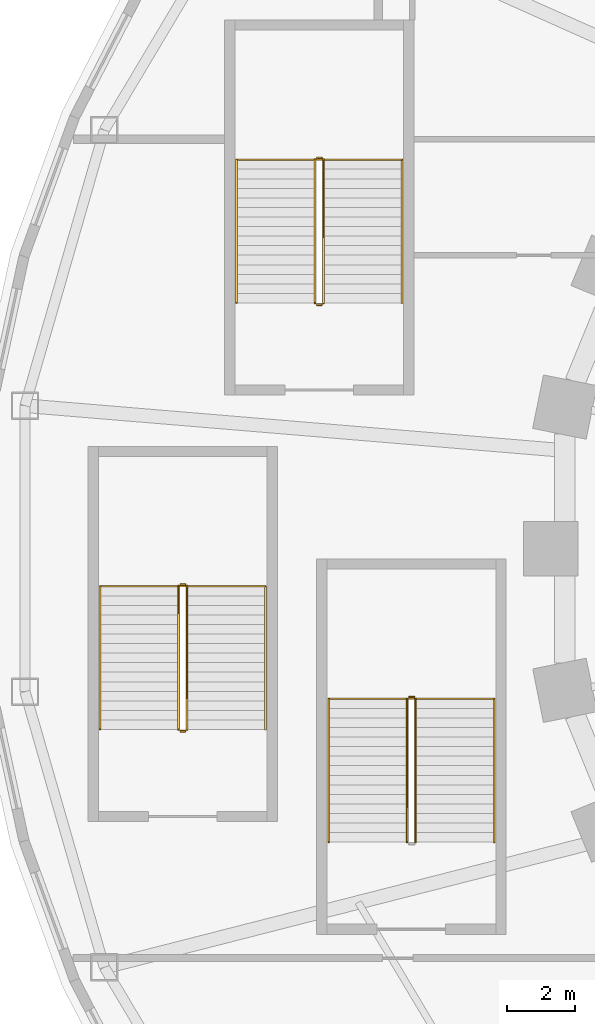
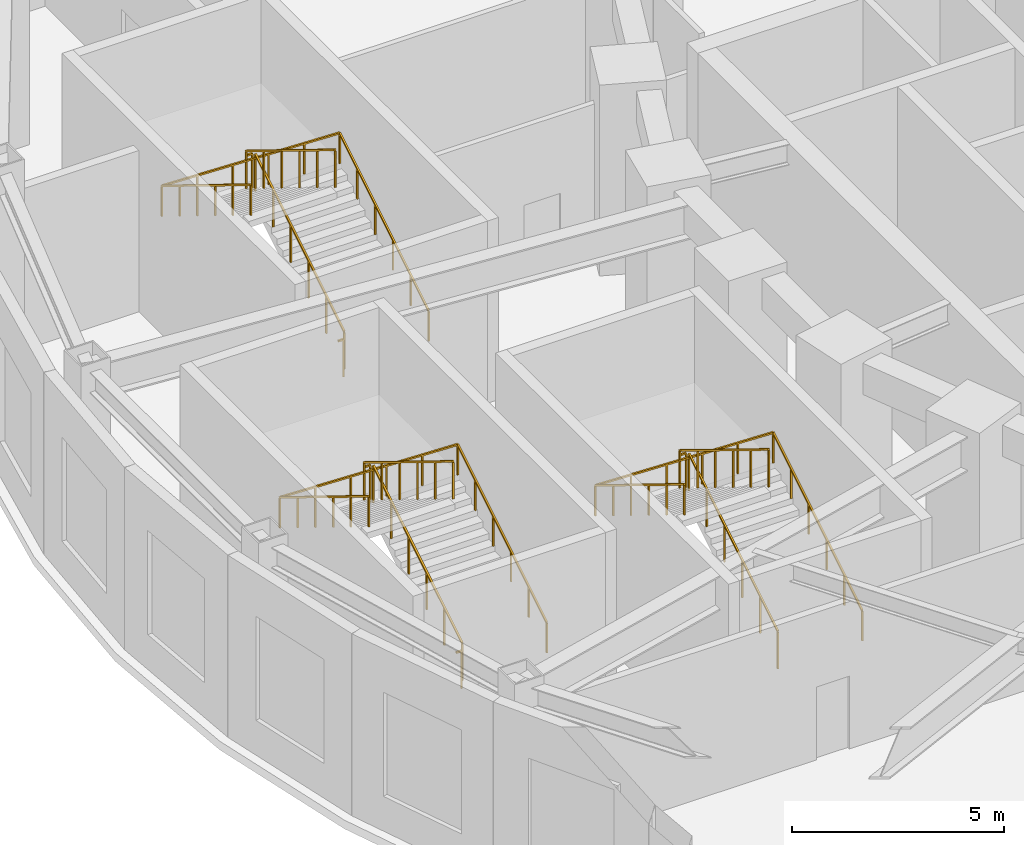
# One storey, part 39 of 69: 14 railings.
"""IFC4 building model written with IfcOpenShell, lengths in metres."""

from ifc_helpers import new_model, si_unit, direction, frame, origin, origin_2d, place, context, subcontext, project, spatial, rectangle, extrude, material, type_object, element, save


model = new_model("IFC4")

# Units and contexts
model_context = context("Model", 3, precision=1e-05, world=origin(), true_north=direction((0.0, 1.0)))
body_context = subcontext(model_context, "Body", "Model", "MODEL_VIEW")
ifc_project = project(units=[si_unit("LENGTHUNIT", "METRE"), si_unit("AREAUNIT", "SQUARE_METRE"), si_unit("VOLUMEUNIT", "CUBIC_METRE"), si_unit("PLANEANGLEUNIT", "RADIAN"), si_unit("MASSUNIT", "GRAM", prefix="KILO")], contexts=[model_context])

# Site, building, storey
site_placement = place(None, origin())
site = spatial("IfcSite", under=ifc_project, at=site_placement, CompositionType="ELEMENT")
building_placement = place(site_placement, origin())
building = spatial("IfcBuilding", under=site, at=building_placement, Name="Noorbagh Ring Tower", CompositionType="ELEMENT")
storey_placement = place(building_placement, frame((0.0, 0.0, 19.5)))
storey = spatial("IfcBuildingStorey", under=building, at=storey_placement, Name="L03", CompositionType="ELEMENT", Elevation=19.5)

# Railings
ifc_material_1 = material(Name="Stainless steel", Category="steel")
railing_type_1 = type_object("IfcRailingType", Name="GND-STAIR-GUARD", PredefinedType="GUARDRAIL", material=ifc_material_1)
railing_1_placement = place(storey_placement, frame((-38.89990234375, -8.60009765625, 0.171875)))
element("IfcRailing", 1, at=railing_1_placement, inside=storey, type_object=railing_type_1, Name="L03 ST-P1 stair guard", PredefinedType="GUARDRAIL", context=body_context, shape_type="SweptSolid", body=[
    extrude(rectangle(XDim=0.048095703125, YDim=0.048095703125, at=origin_2d()), frame((0.0, 0.0, 1.076171875), z_axis=(0.0, 0.852256472501, 0.523124177495), x_axis=(-1.0, 0.0, 0.0)), (0.0, 0.0, 1.0), 4.92822265625),
    extrude(rectangle(XDim=0.0419921875, YDim=0.0419921875, at=origin_2d()), origin(), (0.0, 0.0, 1.0), 1.052001953125),
    extrude(rectangle(XDim=0.0419921875, YDim=0.0419921875, at=origin_2d()), frame((0.0, 0.840087890625, 0.515625)), (0.0, 0.0, 1.0), 1.052001953125),
    extrude(rectangle(XDim=0.0419921875, YDim=0.0419921875, at=origin_2d()), frame((0.0, 1.68017578125, 1.03125)), (0.0, 0.0, 1.0), 1.052001953125),
    extrude(rectangle(XDim=0.0419921875, YDim=0.0419921875, at=origin_2d()), frame((0.0, 2.52001953125, 1.546875)), (0.0, 0.0, 1.0), 1.052001953125),
    extrude(rectangle(XDim=0.0419921875, YDim=0.0419921875, at=origin_2d()), frame((0.0, 3.360107421875, 2.0625)), (0.0, 0.0, 1.0), 1.052001953125),
    extrude(rectangle(XDim=0.0419921875, YDim=0.0419921875, at=origin_2d()), frame((0.0, 4.2001953125, 2.578125)), (0.0, 0.0, 1.0), 1.052001953125),
])
railing_2_placement = place(storey_placement, frame((-38.949951171875, -4.35009765625, 2.75)))
element("IfcRailing", 2, at=railing_2_placement, inside=storey, type_object=railing_type_1, Name="L03 ST-P1 stair guard", PredefinedType="GUARDRAIL", context=body_context, shape_type="SweptSolid", body=[
    extrude(rectangle(XDim=0.048095703125, YDim=0.048095703125, at=origin_2d()), frame((0.0, 0.0, 1.076171875), z_axis=(-1.0, 0.0, 0.0), x_axis=(0.0, -1.0, 0.0)), (0.0, 0.0, 1.0), 0.150146484375),
    extrude(rectangle(XDim=0.0419921875, YDim=0.0419921875, at=origin_2d()), origin(), (0.0, 0.0, 1.0), 1.052001953125),
])
railing_3_placement = place(storey_placement, frame((-39.14990234375, -4.39990234375, 2.921875)))
element("IfcRailing", 3, at=railing_3_placement, inside=storey, type_object=railing_type_1, Name="L03 ST-P1 stair guard", PredefinedType="GUARDRAIL", context=body_context, shape_type="SweptSolid", body=[
    extrude(rectangle(XDim=0.048095703125, YDim=0.048095703125, at=origin_2d()), frame((0.0, 0.0, 1.076171875), z_axis=(0.0, -0.852256472501, 0.523124177495), x_axis=(1.0, 0.0, 0.0)), (0.0, 0.0, 1.0), 4.92822265625),
    extrude(rectangle(XDim=0.0419921875, YDim=0.0419921875, at=origin_2d()), origin(), (0.0, 0.0, 1.0), 1.052001953125),
    extrude(rectangle(XDim=0.0419921875, YDim=0.0419921875, at=origin_2d()), frame((0.0, -0.840087890625, 0.515625)), (0.0, 0.0, 1.0), 1.052001953125),
    extrude(rectangle(XDim=0.0419921875, YDim=0.0419921875, at=origin_2d()), frame((0.0, -1.68017578125, 1.03125)), (0.0, 0.0, 1.0), 1.052001953125),
    extrude(rectangle(XDim=0.0419921875, YDim=0.0419921875, at=origin_2d()), frame((0.0, -2.52001953125, 1.546875)), (0.0, 0.0, 1.0), 1.052001953125),
    extrude(rectangle(XDim=0.0419921875, YDim=0.0419921875, at=origin_2d()), frame((0.0, -3.360107421875, 2.0625)), (0.0, 0.0, 1.0), 1.052001953125),
    extrude(rectangle(XDim=0.0419921875, YDim=0.0419921875, at=origin_2d()), frame((0.0, -4.2001953125, 2.578125)), (0.0, 0.0, 1.0), 1.052001953125),
])
railing_4_placement = place(storey_placement, frame((-45.60009765625, -5.300048828125, 0.171875)))
element("IfcRailing", 4, at=railing_4_placement, inside=storey, type_object=railing_type_1, Name="L03 ST-P3 stair guard", PredefinedType="GUARDRAIL", context=body_context, shape_type="SweptSolid", body=[
    extrude(rectangle(XDim=0.048095703125, YDim=0.048095703125, at=origin_2d()), frame((0.0, 0.0, 1.076171875), z_axis=(0.0, 0.852242915053, 0.523146264196), x_axis=(-1.0, 0.0, 0.0)), (0.0, 0.0, 1.0), 4.92822265625),
    extrude(rectangle(XDim=0.0419921875, YDim=0.0419921875, at=origin_2d()), origin(), (0.0, 0.0, 1.0), 1.052001953125),
    extrude(rectangle(XDim=0.0419921875, YDim=0.0419921875, at=origin_2d()), frame((0.0, 0.840087890625, 0.515625)), (0.0, 0.0, 1.0), 1.052001953125),
    extrude(rectangle(XDim=0.0419921875, YDim=0.0419921875, at=origin_2d()), frame((0.0, 1.679931640625, 1.03125)), (0.0, 0.0, 1.0), 1.052001953125),
    extrude(rectangle(XDim=0.0419921875, YDim=0.0419921875, at=origin_2d()), frame((0.0, 2.52001953125, 1.546875)), (0.0, 0.0, 1.0), 1.052001953125),
    extrude(rectangle(XDim=0.0419921875, YDim=0.0419921875, at=origin_2d()), frame((0.0, 3.35986328125, 2.0625)), (0.0, 0.0, 1.0), 1.052001953125),
    extrude(rectangle(XDim=0.0419921875, YDim=0.0419921875, at=origin_2d()), frame((0.0, 4.199951171875, 2.578125)), (0.0, 0.0, 1.0), 1.052001953125),
])
railing_5_placement = place(storey_placement, frame((-45.64990234375, -1.050048828125, 2.75)))
element("IfcRailing", 5, at=railing_5_placement, inside=storey, type_object=railing_type_1, Name="L03 ST-P3 stair guard", PredefinedType="GUARDRAIL", context=body_context, shape_type="SweptSolid", body=[
    extrude(rectangle(XDim=0.048095703125, YDim=0.048095703125, at=origin_2d()), frame((0.0, 0.0, 1.076171875), z_axis=(-1.0, 0.0, 0.0), x_axis=(0.0, -1.0, 0.0)), (0.0, 0.0, 1.0), 0.150146484375),
    extrude(rectangle(XDim=0.0419921875, YDim=0.0419921875, at=origin_2d()), origin(), (0.0, 0.0, 1.0), 1.052001953125),
])
railing_6_placement = place(storey_placement, frame((-45.85009765625, -1.10009765625, 2.921875)))
element("IfcRailing", 6, at=railing_6_placement, inside=storey, type_object=railing_type_1, Name="L03 ST-P3 stair guard", PredefinedType="GUARDRAIL", context=body_context, shape_type="SweptSolid", body=[
    extrude(rectangle(XDim=0.048095703125, YDim=0.048095703125, at=origin_2d()), frame((0.0, 0.0, 1.076171875), z_axis=(0.0, -0.852242915053, 0.523146264196), x_axis=(1.0, 0.0, 0.0)), (0.0, 0.0, 1.0), 4.92822265625),
    extrude(rectangle(XDim=0.0419921875, YDim=0.0419921875, at=origin_2d()), origin(), (0.0, 0.0, 1.0), 1.052001953125),
    extrude(rectangle(XDim=0.0419921875, YDim=0.0419921875, at=origin_2d()), frame((0.0, -0.840087890625, 0.515625)), (0.0, 0.0, 1.0), 1.052001953125),
    extrude(rectangle(XDim=0.0419921875, YDim=0.0419921875, at=origin_2d()), frame((0.0, -1.679931640625, 1.03125)), (0.0, 0.0, 1.0), 1.052001953125),
    extrude(rectangle(XDim=0.0419921875, YDim=0.0419921875, at=origin_2d()), frame((0.0, -2.52001953125, 1.546875)), (0.0, 0.0, 1.0), 1.052001953125),
    extrude(rectangle(XDim=0.0419921875, YDim=0.0419921875, at=origin_2d()), frame((0.0, -3.35986328125, 2.0625)), (0.0, 0.0, 1.0), 1.052001953125),
    extrude(rectangle(XDim=0.0419921875, YDim=0.0419921875, at=origin_2d()), frame((0.0, -4.199951171875, 2.578125)), (0.0, 0.0, 1.0), 1.052001953125),
])
railing_7_placement = place(storey_placement, frame((-45.64990234375, -5.35009765625, 0.0)))
element("IfcRailing", 7, at=railing_7_placement, inside=storey, type_object=railing_type_1, Name="L03 ST-P3 stair guard", PredefinedType="GUARDRAIL", context=body_context, shape_type="SweptSolid", body=[
    extrude(rectangle(XDim=0.048095703125, YDim=0.048095703125, at=origin_2d()), frame((0.0, 0.0, 1.076171875), z_axis=(-1.0, 0.0, 0.0), x_axis=(0.0, -1.0, 0.0)), (0.0, 0.0, 1.0), 0.150146484375),
    extrude(rectangle(XDim=0.0419921875, YDim=0.0419921875, at=origin_2d()), origin(), (0.0, 0.0, 1.0), 1.052001953125),
])
railing_8_placement = place(storey_placement, frame((-41.60009765625, 7.199951171875, 0.171875)))
element("IfcRailing", 8, at=railing_8_placement, inside=storey, type_object=railing_type_1, Name="L03 ST-P7 stair guard", PredefinedType="GUARDRAIL", context=body_context, shape_type="SweptSolid", body=[
    extrude(rectangle(XDim=0.048095703125, YDim=0.048095703125, at=origin_2d()), frame((0.0, 0.0, 1.076171875), z_axis=(0.0, 0.852242915053, 0.523146264196), x_axis=(-1.0, 0.0, 0.0)), (0.0, 0.0, 1.0), 4.92822265625),
    extrude(rectangle(XDim=0.0419921875, YDim=0.0419921875, at=origin_2d()), origin(), (0.0, 0.0, 1.0), 1.052001953125),
    extrude(rectangle(XDim=0.0419921875, YDim=0.0419921875, at=origin_2d()), frame((0.0, 0.840087890625, 0.515625)), (0.0, 0.0, 1.0), 1.052001953125),
    extrude(rectangle(XDim=0.0419921875, YDim=0.0419921875, at=origin_2d()), frame((0.0, 1.679931640625, 1.03125)), (0.0, 0.0, 1.0), 1.052001953125),
    extrude(rectangle(XDim=0.0419921875, YDim=0.0419921875, at=origin_2d()), frame((0.0, 2.52001953125, 1.546875)), (0.0, 0.0, 1.0), 1.052001953125),
    extrude(rectangle(XDim=0.0419921875, YDim=0.0419921875, at=origin_2d()), frame((0.0, 3.35986328125, 2.0625)), (0.0, 0.0, 1.0), 1.052001953125),
    extrude(rectangle(XDim=0.0419921875, YDim=0.0419921875, at=origin_2d()), frame((0.0, 4.199951171875, 2.578125)), (0.0, 0.0, 1.0), 1.052001953125),
])
railing_9_placement = place(storey_placement, frame((-41.64990234375, 11.449951171875, 2.75)))
element("IfcRailing", 9, at=railing_9_placement, inside=storey, type_object=railing_type_1, Name="L03 ST-P7 stair guard", PredefinedType="GUARDRAIL", context=body_context, shape_type="SweptSolid", body=[
    extrude(rectangle(XDim=0.048095703125, YDim=0.048095703125, at=origin_2d()), frame((0.0, 0.0, 1.076171875), z_axis=(-1.0, 0.0, 0.0), x_axis=(0.0, -1.0, 0.0)), (0.0, 0.0, 1.0), 0.150146484375),
    extrude(rectangle(XDim=0.0419921875, YDim=0.0419921875, at=origin_2d()), origin(), (0.0, 0.0, 1.0), 1.052001953125),
])
railing_10_placement = place(storey_placement, frame((-41.85009765625, 11.39990234375, 2.921875)))
element("IfcRailing", 10, at=railing_10_placement, inside=storey, type_object=railing_type_1, Name="L03 ST-P7 stair guard", PredefinedType="GUARDRAIL", context=body_context, shape_type="SweptSolid", body=[
    extrude(rectangle(XDim=0.048095703125, YDim=0.048095703125, at=origin_2d()), frame((0.0, 0.0, 1.076171875), z_axis=(0.0, -0.852242915053, 0.523146264196), x_axis=(1.0, 0.0, 0.0)), (0.0, 0.0, 1.0), 4.92822265625),
    extrude(rectangle(XDim=0.0419921875, YDim=0.0419921875, at=origin_2d()), origin(), (0.0, 0.0, 1.0), 1.052001953125),
    extrude(rectangle(XDim=0.0419921875, YDim=0.0419921875, at=origin_2d()), frame((0.0, -0.840087890625, 0.515625)), (0.0, 0.0, 1.0), 1.052001953125),
    extrude(rectangle(XDim=0.0419921875, YDim=0.0419921875, at=origin_2d()), frame((0.0, -1.679931640625, 1.03125)), (0.0, 0.0, 1.0), 1.052001953125),
    extrude(rectangle(XDim=0.0419921875, YDim=0.0419921875, at=origin_2d()), frame((0.0, -2.52001953125, 1.546875)), (0.0, 0.0, 1.0), 1.052001953125),
    extrude(rectangle(XDim=0.0419921875, YDim=0.0419921875, at=origin_2d()), frame((0.0, -3.35986328125, 2.0625)), (0.0, 0.0, 1.0), 1.052001953125),
    extrude(rectangle(XDim=0.0419921875, YDim=0.0419921875, at=origin_2d()), frame((0.0, -4.199951171875, 2.578125)), (0.0, 0.0, 1.0), 1.052001953125),
])
railing_11_placement = place(storey_placement, frame((-41.64990234375, 7.14990234375, 0.0)))
element("IfcRailing", 11, at=railing_11_placement, inside=storey, type_object=railing_type_1, Name="L03 ST-P7 stair guard", PredefinedType="GUARDRAIL", context=body_context, shape_type="SweptSolid", body=[
    extrude(rectangle(XDim=0.048095703125, YDim=0.048095703125, at=origin_2d()), frame((0.0, 0.0, 1.076171875), z_axis=(-1.0, 0.0, 0.0), x_axis=(0.0, -1.0, 0.0)), (0.0, 0.0, 1.0), 0.150146484375),
    extrude(rectangle(XDim=0.0419921875, YDim=0.0419921875, at=origin_2d()), origin(), (0.0, 0.0, 1.0), 1.052001953125),
])
ifc_material_2 = material(Name="Stainless steel", Category="steel")
railing_type_2 = type_object("IfcRailingType", Name="GND-STAIR-HANDRAIL", PredefinedType="HANDRAIL", material=ifc_material_2)
railing_12_placement = place(storey_placement, frame((-36.60009765625, -8.60009765625, 0.171875)))
element("IfcRailing", 12, at=railing_12_placement, inside=storey, type_object=railing_type_2, Name="L03 ST-P1 stair handrail", PredefinedType="HANDRAIL", context=body_context, shape_type="SweptSolid", body=[
    extrude(rectangle(XDim=0.048095703125, YDim=0.048095703125, at=origin_2d()), frame((0.0, 0.0, 0.8759765625), z_axis=(0.0, 0.852256472501, 0.523124177495), x_axis=(-1.0, 0.0, 0.0)), (0.0, 0.0, 1.0), 4.92822265625),
    extrude(rectangle(XDim=0.048095703125, YDim=0.048095703125, at=origin_2d()), frame((0.0, 4.2001953125, 3.4541015625), z_axis=(-0.99937262193, 0.0, 0.035416980913), x_axis=(0.0, -1.0, 0.0)), (0.0, 0.0, 1.0), 4.852783203125),
    extrude(rectangle(XDim=0.048095703125, YDim=0.048095703125, at=origin_2d()), frame((-4.849853515625, 4.2001953125, 3.6259765625), z_axis=(0.0, -0.852256472501, 0.523124177495), x_axis=(1.0, 0.0, 0.0)), (0.0, 0.0, 1.0), 4.92822265625),
    extrude(rectangle(XDim=0.0419921875, YDim=0.0419921875, at=origin_2d()), origin(), (0.0, 0.0, 1.0), 0.851806640625),
    extrude(rectangle(XDim=0.0419921875, YDim=0.0419921875, at=origin_2d()), frame((0.0, 0.840087890625, 0.515625)), (0.0, 0.0, 1.0), 0.851806640625),
    extrude(rectangle(XDim=0.0419921875, YDim=0.0419921875, at=origin_2d()), frame((0.0, 1.68017578125, 1.03125)), (0.0, 0.0, 1.0), 0.851806640625),
    extrude(rectangle(XDim=0.0419921875, YDim=0.0419921875, at=origin_2d()), frame((0.0, 2.52001953125, 1.546875)), (0.0, 0.0, 1.0), 0.851806640625),
    extrude(rectangle(XDim=0.0419921875, YDim=0.0419921875, at=origin_2d()), frame((0.0, 3.360107421875, 2.0625)), (0.0, 0.0, 1.0), 0.851806640625),
    extrude(rectangle(XDim=0.0419921875, YDim=0.0419921875, at=origin_2d()), frame((0.0, 4.2001953125, 2.578125)), (0.0, 0.0, 1.0), 0.851806640625),
    extrude(rectangle(XDim=0.0419921875, YDim=0.0419921875, at=origin_2d()), frame((-0.969970703125, 4.2001953125, 2.612548828125)), (0.0, 0.0, 1.0), 0.851806640625),
    extrude(rectangle(XDim=0.0419921875, YDim=0.0419921875, at=origin_2d()), frame((-1.93994140625, 4.2001953125, 2.64697265625)), (0.0, 0.0, 1.0), 0.851806640625),
    extrude(rectangle(XDim=0.0419921875, YDim=0.0419921875, at=origin_2d()), frame((-2.909912109375, 4.2001953125, 2.68115234375)), (0.0, 0.0, 1.0), 0.851806640625),
    extrude(rectangle(XDim=0.0419921875, YDim=0.0419921875, at=origin_2d()), frame((-3.8798828125, 4.2001953125, 2.715576171875)), (0.0, 0.0, 1.0), 0.851806640625),
    extrude(rectangle(XDim=0.0419921875, YDim=0.0419921875, at=origin_2d()), frame((-4.849853515625, 4.2001953125, 2.75)), (0.0, 0.0, 1.0), 0.851806640625),
    extrude(rectangle(XDim=0.0419921875, YDim=0.0419921875, at=origin_2d()), frame((-4.849853515625, 3.360107421875, 3.265625)), (0.0, 0.0, 1.0), 0.851806640625),
    extrude(rectangle(XDim=0.0419921875, YDim=0.0419921875, at=origin_2d()), frame((-4.849853515625, 2.52001953125, 3.78125)), (0.0, 0.0, 1.0), 0.851806640625),
    extrude(rectangle(XDim=0.0419921875, YDim=0.0419921875, at=origin_2d()), frame((-4.849853515625, 1.68017578125, 4.296875)), (0.0, 0.0, 1.0), 0.851806640625),
    extrude(rectangle(XDim=0.0419921875, YDim=0.0419921875, at=origin_2d()), frame((-4.849853515625, 0.840087890625, 4.8125)), (0.0, 0.0, 1.0), 0.851806640625),
    extrude(rectangle(XDim=0.0419921875, YDim=0.0419921875, at=origin_2d()), frame((-4.849853515625, 0.0, 5.328125)), (0.0, 0.0, 1.0), 0.851806640625),
])
railing_13_placement = place(storey_placement, frame((-43.300048828125, -5.300048828125, 0.171875)))
element("IfcRailing", 13, at=railing_13_placement, inside=storey, type_object=railing_type_2, Name="L03 ST-P3 stair handrail", PredefinedType="HANDRAIL", context=body_context, shape_type="SweptSolid", body=[
    extrude(rectangle(XDim=0.048095703125, YDim=0.048095703125, at=origin_2d()), frame((0.0, 0.0, 0.8759765625), z_axis=(0.0, 0.852242915053, 0.523146264196), x_axis=(-1.0, 0.0, 0.0)), (0.0, 0.0, 1.0), 4.92822265625),
    extrude(rectangle(XDim=0.048095703125, YDim=0.048095703125, at=origin_2d()), frame((0.0, 4.199951171875, 3.4541015625), z_axis=(-0.99937262193, 0.0, 0.035416980913), x_axis=(0.0, -1.0, 0.0)), (0.0, 0.0, 1.0), 4.852783203125),
    extrude(rectangle(XDim=0.048095703125, YDim=0.048095703125, at=origin_2d()), frame((-4.849853515625, 4.199951171875, 3.6259765625), z_axis=(0.0, -0.852242915053, 0.523146264196), x_axis=(1.0, 0.0, 0.0)), (0.0, 0.0, 1.0), 4.92822265625),
    extrude(rectangle(XDim=0.0419921875, YDim=0.0419921875, at=origin_2d()), origin(), (0.0, 0.0, 1.0), 0.851806640625),
    extrude(rectangle(XDim=0.0419921875, YDim=0.0419921875, at=origin_2d()), frame((0.0, 0.840087890625, 0.515625)), (0.0, 0.0, 1.0), 0.851806640625),
    extrude(rectangle(XDim=0.0419921875, YDim=0.0419921875, at=origin_2d()), frame((0.0, 1.679931640625, 1.03125)), (0.0, 0.0, 1.0), 0.851806640625),
    extrude(rectangle(XDim=0.0419921875, YDim=0.0419921875, at=origin_2d()), frame((0.0, 2.52001953125, 1.546875)), (0.0, 0.0, 1.0), 0.851806640625),
    extrude(rectangle(XDim=0.0419921875, YDim=0.0419921875, at=origin_2d()), frame((0.0, 3.35986328125, 2.0625)), (0.0, 0.0, 1.0), 0.851806640625),
    extrude(rectangle(XDim=0.0419921875, YDim=0.0419921875, at=origin_2d()), frame((0.0, 4.199951171875, 2.578125)), (0.0, 0.0, 1.0), 0.851806640625),
    extrude(rectangle(XDim=0.0419921875, YDim=0.0419921875, at=origin_2d()), frame((-0.969970703125, 4.199951171875, 2.612548828125)), (0.0, 0.0, 1.0), 0.851806640625),
    extrude(rectangle(XDim=0.0419921875, YDim=0.0419921875, at=origin_2d()), frame((-1.93994140625, 4.199951171875, 2.64697265625)), (0.0, 0.0, 1.0), 0.851806640625),
    extrude(rectangle(XDim=0.0419921875, YDim=0.0419921875, at=origin_2d()), frame((-2.909912109375, 4.199951171875, 2.68115234375)), (0.0, 0.0, 1.0), 0.851806640625),
    extrude(rectangle(XDim=0.0419921875, YDim=0.0419921875, at=origin_2d()), frame((-3.8798828125, 4.199951171875, 2.715576171875)), (0.0, 0.0, 1.0), 0.851806640625),
    extrude(rectangle(XDim=0.0419921875, YDim=0.0419921875, at=origin_2d()), frame((-4.849853515625, 4.199951171875, 2.75)), (0.0, 0.0, 1.0), 0.851806640625),
    extrude(rectangle(XDim=0.0419921875, YDim=0.0419921875, at=origin_2d()), frame((-4.849853515625, 3.35986328125, 3.265625)), (0.0, 0.0, 1.0), 0.851806640625),
    extrude(rectangle(XDim=0.0419921875, YDim=0.0419921875, at=origin_2d()), frame((-4.849853515625, 2.52001953125, 3.78125)), (0.0, 0.0, 1.0), 0.851806640625),
    extrude(rectangle(XDim=0.0419921875, YDim=0.0419921875, at=origin_2d()), frame((-4.849853515625, 1.679931640625, 4.296875)), (0.0, 0.0, 1.0), 0.851806640625),
    extrude(rectangle(XDim=0.0419921875, YDim=0.0419921875, at=origin_2d()), frame((-4.849853515625, 0.840087890625, 4.8125)), (0.0, 0.0, 1.0), 0.851806640625),
    extrude(rectangle(XDim=0.0419921875, YDim=0.0419921875, at=origin_2d()), frame((-4.849853515625, 0.0, 5.328125)), (0.0, 0.0, 1.0), 0.851806640625),
])
railing_14_placement = place(storey_placement, frame((-39.300048828125, 7.199951171875, 0.171875)))
element("IfcRailing", 14, at=railing_14_placement, inside=storey, type_object=railing_type_2, Name="L03 ST-P7 stair handrail", PredefinedType="HANDRAIL", context=body_context, shape_type="SweptSolid", body=[
    extrude(rectangle(XDim=0.048095703125, YDim=0.048095703125, at=origin_2d()), frame((0.0, 0.0, 0.8759765625), z_axis=(0.0, 0.852242915053, 0.523146264196), x_axis=(-1.0, 0.0, 0.0)), (0.0, 0.0, 1.0), 4.92822265625),
    extrude(rectangle(XDim=0.048095703125, YDim=0.048095703125, at=origin_2d()), frame((0.0, 4.199951171875, 3.4541015625), z_axis=(-0.99937262193, 0.0, 0.035416980913), x_axis=(0.0, -1.0, 0.0)), (0.0, 0.0, 1.0), 4.852783203125),
    extrude(rectangle(XDim=0.048095703125, YDim=0.048095703125, at=origin_2d()), frame((-4.849853515625, 4.199951171875, 3.6259765625), z_axis=(0.0, -0.852242915053, 0.523146264196), x_axis=(1.0, 0.0, 0.0)), (0.0, 0.0, 1.0), 4.92822265625),
    extrude(rectangle(XDim=0.0419921875, YDim=0.0419921875, at=origin_2d()), origin(), (0.0, 0.0, 1.0), 0.851806640625),
    extrude(rectangle(XDim=0.0419921875, YDim=0.0419921875, at=origin_2d()), frame((0.0, 0.840087890625, 0.515625)), (0.0, 0.0, 1.0), 0.851806640625),
    extrude(rectangle(XDim=0.0419921875, YDim=0.0419921875, at=origin_2d()), frame((0.0, 1.679931640625, 1.03125)), (0.0, 0.0, 1.0), 0.851806640625),
    extrude(rectangle(XDim=0.0419921875, YDim=0.0419921875, at=origin_2d()), frame((0.0, 2.52001953125, 1.546875)), (0.0, 0.0, 1.0), 0.851806640625),
    extrude(rectangle(XDim=0.0419921875, YDim=0.0419921875, at=origin_2d()), frame((0.0, 3.35986328125, 2.0625)), (0.0, 0.0, 1.0), 0.851806640625),
    extrude(rectangle(XDim=0.0419921875, YDim=0.0419921875, at=origin_2d()), frame((0.0, 4.199951171875, 2.578125)), (0.0, 0.0, 1.0), 0.851806640625),
    extrude(rectangle(XDim=0.0419921875, YDim=0.0419921875, at=origin_2d()), frame((-0.969970703125, 4.199951171875, 2.612548828125)), (0.0, 0.0, 1.0), 0.851806640625),
    extrude(rectangle(XDim=0.0419921875, YDim=0.0419921875, at=origin_2d()), frame((-1.93994140625, 4.199951171875, 2.64697265625)), (0.0, 0.0, 1.0), 0.851806640625),
    extrude(rectangle(XDim=0.0419921875, YDim=0.0419921875, at=origin_2d()), frame((-2.909912109375, 4.199951171875, 2.68115234375)), (0.0, 0.0, 1.0), 0.851806640625),
    extrude(rectangle(XDim=0.0419921875, YDim=0.0419921875, at=origin_2d()), frame((-3.8798828125, 4.199951171875, 2.715576171875)), (0.0, 0.0, 1.0), 0.851806640625),
    extrude(rectangle(XDim=0.0419921875, YDim=0.0419921875, at=origin_2d()), frame((-4.849853515625, 4.199951171875, 2.75)), (0.0, 0.0, 1.0), 0.851806640625),
    extrude(rectangle(XDim=0.0419921875, YDim=0.0419921875, at=origin_2d()), frame((-4.849853515625, 3.35986328125, 3.265625)), (0.0, 0.0, 1.0), 0.851806640625),
    extrude(rectangle(XDim=0.0419921875, YDim=0.0419921875, at=origin_2d()), frame((-4.849853515625, 2.52001953125, 3.78125)), (0.0, 0.0, 1.0), 0.851806640625),
    extrude(rectangle(XDim=0.0419921875, YDim=0.0419921875, at=origin_2d()), frame((-4.849853515625, 1.679931640625, 4.296875)), (0.0, 0.0, 1.0), 0.851806640625),
    extrude(rectangle(XDim=0.0419921875, YDim=0.0419921875, at=origin_2d()), frame((-4.849853515625, 0.840087890625, 4.8125)), (0.0, 0.0, 1.0), 0.851806640625),
    extrude(rectangle(XDim=0.0419921875, YDim=0.0419921875, at=origin_2d()), frame((-4.849853515625, 0.0, 5.328125)), (0.0, 0.0, 1.0), 0.851806640625),
])

save(model, "model.ifc")
